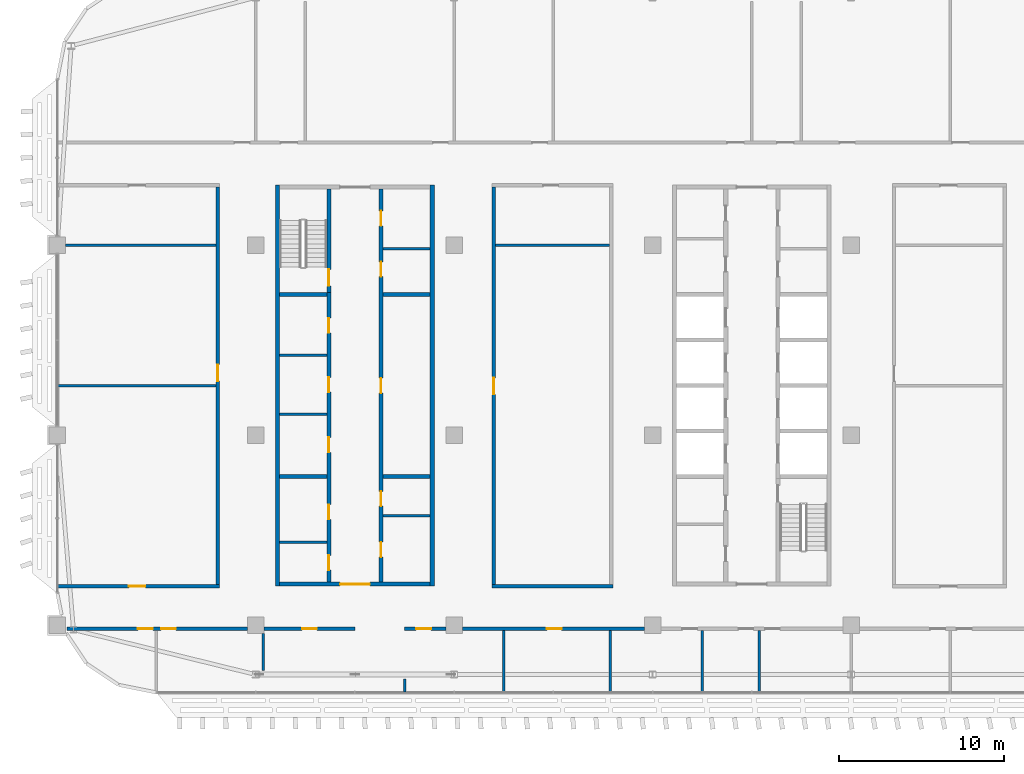
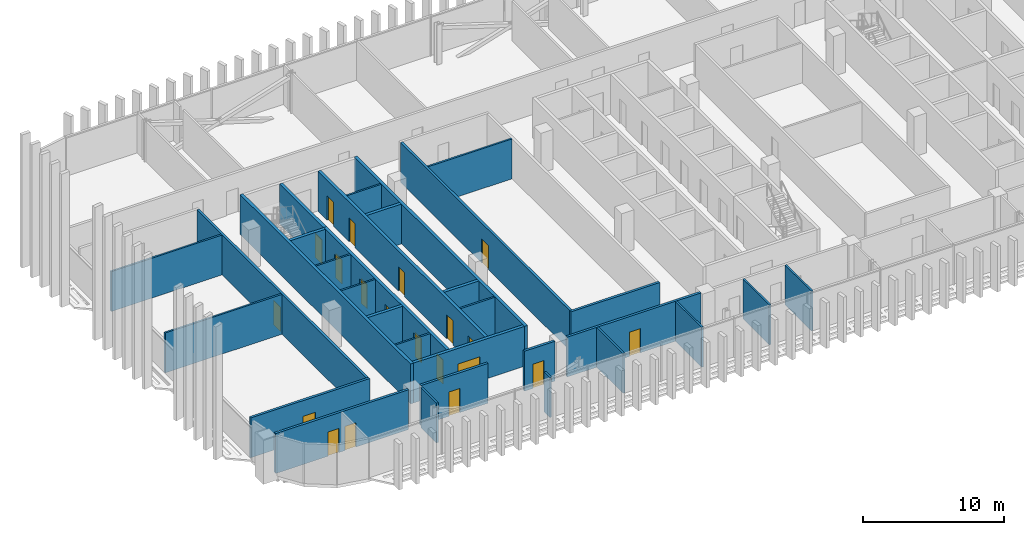
# One storey, part 16 of 32: 32 walls, 20 doors, 20 openings.
"""IFC4 building model written with IfcOpenShell, lengths in metres."""

from ifc_helpers import new_model, si_unit, direction, frame, frame_2d, origin, place, context, subcontext, project, spatial, rectangle, extrude, material, layer, layer_set, type_object, element, fill, save


model = new_model("IFC4")

# Units and contexts
model_context = context("Model", 3, precision=1e-05, world=origin(), true_north=direction((0.0, 1.0)))
body_context = subcontext(model_context, "Body", "Model", "MODEL_VIEW")
ifc_project = project(units=[si_unit("LENGTHUNIT", "METRE"), si_unit("AREAUNIT", "SQUARE_METRE"), si_unit("VOLUMEUNIT", "CUBIC_METRE"), si_unit("PLANEANGLEUNIT", "RADIAN"), si_unit("MASSUNIT", "GRAM", prefix="KILO")], contexts=[model_context])

# Site, building, storey
site_placement = place(None, origin())
site = spatial("IfcSite", under=ifc_project, at=site_placement, CompositionType="ELEMENT")
building_placement = place(site_placement, origin())
building = spatial("IfcBuilding", under=site, at=building_placement, Name="Mahtab Terrace Research Tower", CompositionType="ELEMENT")
storey_placement = place(building_placement, frame((0.0, 0.0, 243.800048828125)))
storey = spatial("IfcBuildingStorey", under=building, at=storey_placement, Name="L59", CompositionType="ELEMENT", Elevation=243.800048828125)

# Walls
ifc_material_1 = material(Name="Gypsum board partition")
ifc_layer_1 = layer(ifc_material_1, 0.14990234375)
ifc_layer_set_1 = layer_set([ifc_layer_1], Name="Core partition 150")
wall_type_1 = type_object("IfcWallType", Name="Core partition 150", PredefinedType="PARTITIONING", material=ifc_layer_set_1)
for number, where, z_axis, x_axis, name in (
    (1, (-28.550048828125, 1.280029296875, 0.0), (0.0, 0.0, 1.0), (1.0, 0.0, 0.0), "Core wall A pWL-172"),
    (2, (-28.550048828125, 4.827392578125, 0.0), (0.0, 0.0, 1.0), (1.0, 0.0, 0.0), "Core wall A pWL183"),
    (3, (-28.550048828125, -6.47509765625, 0.0), (0.0, 0.0, 1.0), (1.0, 0.0, 0.0), "Core wall A pWS-948"),
    (4, (-22.300048828125, -4.875, 0.0), (0.0, 0.0, 1.0), (1.0, 0.0, 0.0), "Core wall A pES-788"),
    (5, (-22.300048828125, 11.27490234375, 0.0), (0.0, 0.0, 1.0), (1.0, 0.0, 0.0), "Core wall A pEN828"),
):
    element("IfcWall", number, at=place(storey_placement, frame(where, z_axis=z_axis, x_axis=x_axis)), inside=storey, type_object=wall_type_1, Name=name, PredefinedType="PARTITIONING", context=body_context, shape_type="SweptSolid", body=[
        extrude(rectangle(XDim=2.85009765625, YDim=0.14990234375, at=frame_2d((1.425048828125, 0.0))), origin(), (0.0, 0.0, 1.0), 3.4599609375),
    ])
ifc_material_2 = material(Name="Concrete C70/85", Category="concrete")
ifc_layer_2 = layer(ifc_material_2, 0.25)
ifc_layer_set_2 = layer_set([ifc_layer_2], Name="Core wall 250")
wall_type_2 = type_object("IfcWallType", Name="Core wall 250", PredefinedType="SOLIDWALL", material=ifc_layer_set_2)
for number, where, z_axis, x_axis, name in (
    (6, (-28.675048828125, 15.125, 0.0), (0.0, 0.0, 1.0), (0.0, -1.0, 0.0), "Core wall A outerW"),
    (7, (-19.324951171875, -9.125, 0.0), (0.0, 0.0, 1.0), (0.0, 1.0, 0.0), "Core wall A outerE"),
):
    element("IfcWall", number, at=place(storey_placement, frame(where, z_axis=z_axis, x_axis=x_axis)), inside=storey, type_object=wall_type_2, Name=name, PredefinedType="SOLIDWALL", context=body_context, shape_type="SweptSolid", body=[
        extrude(rectangle(XDim=24.25, YDim=0.25, at=frame_2d((12.125, 0.0))), origin(), (0.0, 0.0, 1.0), 3.4599609375),
    ])

# Wall, opening, door
wall_1_placement = place(storey_placement, frame((-19.449951171875, -9.0, 0.0), z_axis=(0.0, 0.0, 1.0), x_axis=(-1.0, 0.0, 0.0)))
wall_1 = element("IfcWall", 8, at=wall_1_placement, inside=storey, type_object=wall_type_2, Name="Core wall A endS", PredefinedType="SOLIDWALL", context=body_context, shape_type="SweptSolid", body=[
    extrude(rectangle(XDim=9.10009765625, YDim=0.25, at=frame_2d((4.550048828125, 0.0))), origin(), (0.0, 0.0, 1.0), 3.4599609375),
])
opening_1_placement = place(wall_1_placement, frame((3.64990234375, 0.0, 0.0)))
opening_1 = element("IfcOpeningElement", 9, at=opening_1_placement, cuts=wall_1, Name="Opening A-S1", PredefinedType="OPENING", context=body_context, shape_type="SweptSolid", body=[
    extrude(rectangle(XDim=1.800048828125, YDim=2.10009765625, at=frame_2d((0.89990234375, 1.050048828125))), frame((0.0, 0.135009765625, 0.0), z_axis=(0.0, -1.0, 0.0), x_axis=(1.0, 0.0, 0.0)), (0.0, 0.0, 1.0), 0.27001953125),
])
ifc_material_3 = material(Name="Steel fire door", Category="steel")
door_type_1 = type_object("IfcDoorType", Name="Lobby double door 1800x2100 1 HR", OperationType="DOUBLE_DOOR_SINGLE_SWING", PredefinedType="DOOR", material=ifc_material_3)
door_1_placement = place(opening_1_placement, origin())
door_1 = element("IfcDoor", 10, at=door_1_placement, inside=storey, type_object=door_type_1, Name="Core entrance door A S", OperationType="DOUBLE_DOOR_SINGLE_SWING", OverallHeight=2.10009765625, OverallWidth=1.800048828125, PredefinedType="DOOR", context=body_context, shape_type="SweptSolid", body=[
    extrude(rectangle(XDim=1.800048828125, YDim=2.10009765625, at=frame_2d((0.89990234375, 1.050048828125))), frame((0.0, 0.02490234375, 0.0), z_axis=(0.0, -1.0, 0.0), x_axis=(1.0, 0.0, 0.0)), (0.0, 0.0, 1.0), 0.050048828125),
])
fill(opening_1, door_1)

# Wall, openings, doors
wall_2_placement = place(storey_placement, frame((-25.574951171875, -8.875, 0.0), z_axis=(0.0, 0.0, 1.0), x_axis=(0.0, 1.0, 0.0)))
wall_2 = element("IfcWall", 11, at=wall_2_placement, inside=storey, type_object=wall_type_2, Name="Core wall A innerWSL", PredefinedType="SOLIDWALL", context=body_context, shape_type="SweptSolid", body=[
    extrude(rectangle(XDim=17.5, YDim=0.25, at=frame_2d((8.75, 0.0))), origin(), (0.0, 0.0, 1.0), 3.4599609375),
])
opening_2_placement = place(wall_2_placement, frame((7.840087890625, 0.0, 0.0)))
opening_2 = element("IfcOpeningElement", 12, at=opening_2_placement, cuts=wall_2, Name="Opening A-R1", PredefinedType="OPENING", context=body_context, shape_type="SweptSolid", body=[
    extrude(rectangle(XDim=0.89990234375, YDim=2.10009765625, at=frame_2d((0.449951171875, 1.050048828125))), frame((0.0, 0.135009765625, 0.0), z_axis=(0.0, -1.0, 0.0), x_axis=(1.0, 0.0, 0.0)), (0.0, 0.0, 1.0), 0.27001953125),
])
opening_3_placement = place(wall_2_placement, frame((11.478759765625, 0.0, 0.0)))
opening_3 = element("IfcOpeningElement", 13, at=opening_3_placement, cuts=wall_2, Name="Opening A-R2", PredefinedType="OPENING", context=body_context, shape_type="SweptSolid", body=[
    extrude(rectangle(XDim=0.89990234375, YDim=2.10009765625, at=frame_2d((0.449951171875, 1.050048828125))), frame((0.0, 0.135009765625, 0.0), z_axis=(0.0, -1.0, 0.0), x_axis=(1.0, 0.0, 0.0)), (0.0, 0.0, 1.0), 0.27001953125),
])
opening_4_placement = place(wall_2_placement, frame((15.063720703125, 0.0, 0.0)))
opening_4 = element("IfcOpeningElement", 14, at=opening_4_placement, cuts=wall_2, Name="Opening A-R3", PredefinedType="OPENING", context=body_context, shape_type="SweptSolid", body=[
    extrude(rectangle(XDim=0.89990234375, YDim=2.10009765625, at=frame_2d((0.449951171875, 1.050048828125))), frame((0.0, 0.135009765625, 0.0), z_axis=(0.0, -1.0, 0.0), x_axis=(1.0, 0.0, 0.0)), (0.0, 0.0, 1.0), 0.27001953125),
])
opening_5_placement = place(wall_2_placement, frame((0.71240234375, 0.0, 0.0)))
opening_5 = element("IfcOpeningElement", 15, at=opening_5_placement, cuts=wall_2, Name="Opening A-R5", PredefinedType="OPENING", context=body_context, shape_type="SweptSolid", body=[
    extrude(rectangle(XDim=0.89990234375, YDim=2.10009765625, at=frame_2d((0.449951171875, 1.050048828125))), frame((0.0, 0.135009765625, 0.0), z_axis=(0.0, -1.0, 0.0), x_axis=(1.0, 0.0, 0.0)), (0.0, 0.0, 1.0), 0.27001953125),
])
opening_6_placement = place(wall_2_placement, frame((3.78759765625, 0.0, 0.0)))
opening_6 = element("IfcOpeningElement", 16, at=opening_6_placement, cuts=wall_2, Name="Opening A-R6", PredefinedType="OPENING", context=body_context, shape_type="SweptSolid", body=[
    extrude(rectangle(XDim=0.89990234375, YDim=2.10009765625, at=frame_2d((0.449951171875, 1.050048828125))), frame((0.0, 0.135009765625, 0.0), z_axis=(0.0, -1.0, 0.0), x_axis=(1.0, 0.0, 0.0)), (0.0, 0.0, 1.0), 0.27001953125),
])
door_type_2 = type_object("IfcDoorType", Name="Room door 900x2100 1 HR", OperationType="NOTDEFINED", PredefinedType="DOOR", material=ifc_material_3)
door_2_placement = place(opening_2_placement, origin())
door_2 = element("IfcDoor", 17, at=door_2_placement, inside=storey, type_object=door_type_2, Name="Battery room door", OperationType="SINGLE_SWING_LEFT", OverallHeight=2.10009765625, OverallWidth=0.89990234375, PredefinedType="DOOR", context=body_context, shape_type="SweptSolid", body=[
    extrude(rectangle(XDim=0.89990234375, YDim=2.10009765625, at=frame_2d((0.449951171875, 1.050048828125))), frame((0.0, 0.02490234375, 0.0), z_axis=(0.0, -1.0, 0.0), x_axis=(1.0, 0.0, 0.0)), (0.0, 0.0, 1.0), 0.050048828125),
])
fill(opening_2, door_2)
door_3_placement = place(opening_3_placement, origin())
door_3 = element("IfcDoor", 18, at=door_3_placement, inside=storey, type_object=door_type_2, Name="Cooling plant room door", OperationType="SINGLE_SWING_RIGHT", OverallHeight=2.10009765625, OverallWidth=0.89990234375, PredefinedType="DOOR", context=body_context, shape_type="SweptSolid", body=[
    extrude(rectangle(XDim=0.89990234375, YDim=2.10009765625, at=frame_2d((0.449951171875, 1.050048828125))), frame((0.0, 0.02490234375, 0.0), z_axis=(0.0, -1.0, 0.0), x_axis=(1.0, 0.0, 0.0)), (0.0, 0.0, 1.0), 0.050048828125),
])
fill(opening_3, door_3)
door_4_placement = place(opening_4_placement, origin())
door_4 = element("IfcDoor", 19, at=door_4_placement, inside=storey, type_object=door_type_2, Name="Spare parts store door", OperationType="SINGLE_SWING_LEFT", OverallHeight=2.10009765625, OverallWidth=0.89990234375, PredefinedType="DOOR", context=body_context, shape_type="SweptSolid", body=[
    extrude(rectangle(XDim=0.89990234375, YDim=2.10009765625, at=frame_2d((0.449951171875, 1.050048828125))), frame((0.0, 0.02490234375, 0.0), z_axis=(0.0, -1.0, 0.0), x_axis=(1.0, 0.0, 0.0)), (0.0, 0.0, 1.0), 0.050048828125),
])
fill(opening_4, door_4)
door_5_placement = place(opening_5_placement, origin())
door_5 = element("IfcDoor", 20, at=door_5_placement, inside=storey, type_object=door_type_2, Name="Accessible WC door", OperationType="SINGLE_SWING_LEFT", OverallHeight=2.10009765625, OverallWidth=0.89990234375, PredefinedType="DOOR", context=body_context, shape_type="SweptSolid", body=[
    extrude(rectangle(XDim=0.89990234375, YDim=2.10009765625, at=frame_2d((0.449951171875, 1.050048828125))), frame((0.0, 0.02490234375, 0.0), z_axis=(0.0, -1.0, 0.0), x_axis=(1.0, 0.0, 0.0)), (0.0, 0.0, 1.0), 0.050048828125),
])
fill(opening_5, door_5)
door_6_placement = place(opening_6_placement, origin())
door_6 = element("IfcDoor", 21, at=door_6_placement, inside=storey, type_object=door_type_2, Name="WC block door", OperationType="SINGLE_SWING_RIGHT", OverallHeight=2.10009765625, OverallWidth=0.89990234375, PredefinedType="DOOR", context=body_context, shape_type="SweptSolid", body=[
    extrude(rectangle(XDim=0.89990234375, YDim=2.10009765625, at=frame_2d((0.449951171875, 1.050048828125))), frame((0.0, 0.02490234375, 0.0), z_axis=(0.0, -1.0, 0.0), x_axis=(1.0, 0.0, 0.0)), (0.0, 0.0, 1.0), 0.050048828125),
])
fill(opening_6, door_6)

# Wall, opening, door
wall_3_placement = place(storey_placement, frame((-25.574951171875, 14.875, 0.0), z_axis=(0.0, 0.0, 1.0), x_axis=(0.0, -1.0, 0.0)))
wall_3 = element("IfcWall", 22, at=wall_3_placement, inside=storey, type_object=wall_type_2, Name="Core wall A innerWN", PredefinedType="SOLIDWALL", context=body_context, shape_type="SweptSolid", body=[
    extrude(rectangle(XDim=6.25, YDim=0.25, at=frame_2d((3.125, 0.0))), origin(), (0.0, 0.0, 1.0), 3.4599609375),
])
opening_7_placement = place(wall_3_placement, frame((4.85009765625, 0.0, 0.0)))
opening_7 = element("IfcOpeningElement", 23, at=opening_7_placement, cuts=wall_3, Name="Opening A-ST1", PredefinedType="OPENING", context=body_context, shape_type="SweptSolid", body=[
    extrude(rectangle(XDim=1.0, YDim=2.10009765625, at=frame_2d((0.5, 1.050048828125))), frame((0.0, 0.135009765625, 0.0), z_axis=(0.0, -1.0, 0.0), x_axis=(1.0, 0.0, 0.0)), (0.0, 0.0, 1.0), 0.27001953125),
])
door_type_3 = type_object("IfcDoorType", Name="Stair door 1000x2100 1.5 HR", OperationType="NOTDEFINED", PredefinedType="DOOR", material=ifc_material_3)
door_7_placement = place(opening_7_placement, origin())
door_7 = element("IfcDoor", 24, at=door_7_placement, inside=storey, type_object=door_type_3, Name="Stair door ST1 L59", OperationType="SINGLE_SWING_LEFT", OverallHeight=2.10009765625, OverallWidth=1.0, PredefinedType="DOOR", context=body_context, shape_type="SweptSolid", body=[
    extrude(rectangle(XDim=1.0, YDim=2.10009765625, at=frame_2d((0.5, 1.050048828125))), frame((0.0, 0.02490234375, 0.0), z_axis=(0.0, -1.0, 0.0), x_axis=(1.0, 0.0, 0.0)), (0.0, 0.0, 1.0), 0.050048828125),
])
fill(opening_7, door_7)

# Wall, openings, doors
wall_4_placement = place(storey_placement, frame((-22.425048828125, 14.875, 0.0), z_axis=(0.0, 0.0, 1.0), x_axis=(0.0, -1.0, 0.0)))
wall_4 = element("IfcWall", 25, at=wall_4_placement, inside=storey, type_object=wall_type_2, Name="Core wall A innerESLN", PredefinedType="SOLIDWALL", context=body_context, shape_type="SweptSolid", body=[
    extrude(rectangle(XDim=23.75, YDim=0.25, at=frame_2d((11.875, 0.0))), origin(), (0.0, 0.0, 1.0), 3.4599609375),
])
opening_8_placement = place(wall_4_placement, frame((11.425048828125, 0.0, 0.0)))
opening_8 = element("IfcOpeningElement", 26, at=opening_8_placement, cuts=wall_4, Name="Opening A-R4", PredefinedType="OPENING", context=body_context, shape_type="SweptSolid", body=[
    extrude(rectangle(XDim=0.89990234375, YDim=2.10009765625, at=frame_2d((0.449951171875, 1.050048828125))), frame((0.0, 0.135009765625, 0.0), z_axis=(0.0, -1.0, 0.0), x_axis=(1.0, 0.0, 0.0)), (0.0, 0.0, 1.0), 0.27001953125),
])
opening_9_placement = place(wall_4_placement, frame((21.33740234375, 0.0, 0.0)))
opening_9 = element("IfcOpeningElement", 27, at=opening_9_placement, cuts=wall_4, Name="Opening A-R7", PredefinedType="OPENING", context=body_context, shape_type="SweptSolid", body=[
    extrude(rectangle(XDim=0.89990234375, YDim=2.10009765625, at=frame_2d((0.449951171875, 1.050048828125))), frame((0.0, 0.135009765625, 0.0), z_axis=(0.0, -1.0, 0.0), x_axis=(1.0, 0.0, 0.0)), (0.0, 0.0, 1.0), 0.27001953125),
])
opening_10_placement = place(wall_4_placement, frame((18.262451171875, 0.0, 0.0)))
opening_10 = element("IfcOpeningElement", 28, at=opening_10_placement, cuts=wall_4, Name="Opening A-R8", PredefinedType="OPENING", context=body_context, shape_type="SweptSolid", body=[
    extrude(rectangle(XDim=0.89990234375, YDim=2.10009765625, at=frame_2d((0.449951171875, 1.050048828125))), frame((0.0, 0.135009765625, 0.0), z_axis=(0.0, -1.0, 0.0), x_axis=(1.0, 0.0, 0.0)), (0.0, 0.0, 1.0), 0.27001953125),
])
opening_11_placement = place(wall_4_placement, frame((4.387451171875, 0.0, 0.0)))
opening_11 = element("IfcOpeningElement", 29, at=opening_11_placement, cuts=wall_4, Name="Opening A-R9", PredefinedType="OPENING", context=body_context, shape_type="SweptSolid", body=[
    extrude(rectangle(XDim=0.89990234375, YDim=2.10009765625, at=frame_2d((0.449951171875, 1.050048828125))), frame((0.0, 0.135009765625, 0.0), z_axis=(0.0, -1.0, 0.0), x_axis=(1.0, 0.0, 0.0)), (0.0, 0.0, 1.0), 0.27001953125),
])
opening_12_placement = place(wall_4_placement, frame((1.3125, 0.0, 0.0)))
opening_12 = element("IfcOpeningElement", 30, at=opening_12_placement, cuts=wall_4, Name="Opening A-R10", PredefinedType="OPENING", context=body_context, shape_type="SweptSolid", body=[
    extrude(rectangle(XDim=0.89990234375, YDim=2.10009765625, at=frame_2d((0.449951171875, 1.050048828125))), frame((0.0, 0.135009765625, 0.0), z_axis=(0.0, -1.0, 0.0), x_axis=(1.0, 0.0, 0.0)), (0.0, 0.0, 1.0), 0.27001953125),
])
door_8_placement = place(opening_8_placement, origin())
door_8 = element("IfcDoor", 31, at=door_8_placement, inside=storey, type_object=door_type_2, Name="Plant room door", OperationType="SINGLE_SWING_RIGHT", OverallHeight=2.10009765625, OverallWidth=0.89990234375, PredefinedType="DOOR", context=body_context, shape_type="SweptSolid", body=[
    extrude(rectangle(XDim=0.89990234375, YDim=2.10009765625, at=frame_2d((0.449951171875, 1.050048828125))), frame((0.0, 0.02490234375, 0.0), z_axis=(0.0, -1.0, 0.0), x_axis=(1.0, 0.0, 0.0)), (0.0, 0.0, 1.0), 0.050048828125),
])
fill(opening_8, door_8)
door_9_placement = place(opening_9_placement, origin())
door_9 = element("IfcDoor", 32, at=door_9_placement, inside=storey, type_object=door_type_2, Name="IT equipment room door", OperationType="SINGLE_SWING_LEFT", OverallHeight=2.10009765625, OverallWidth=0.89990234375, PredefinedType="DOOR", context=body_context, shape_type="SweptSolid", body=[
    extrude(rectangle(XDim=0.89990234375, YDim=2.10009765625, at=frame_2d((0.449951171875, 1.050048828125))), frame((0.0, 0.02490234375, 0.0), z_axis=(0.0, -1.0, 0.0), x_axis=(1.0, 0.0, 0.0)), (0.0, 0.0, 1.0), 0.050048828125),
])
fill(opening_9, door_9)
door_10_placement = place(opening_10_placement, origin())
door_10 = element("IfcDoor", 33, at=door_10_placement, inside=storey, type_object=door_type_2, Name="Electrical riser room door", OperationType="SINGLE_SWING_RIGHT", OverallHeight=2.10009765625, OverallWidth=0.89990234375, PredefinedType="DOOR", context=body_context, shape_type="SweptSolid", body=[
    extrude(rectangle(XDim=0.89990234375, YDim=2.10009765625, at=frame_2d((0.449951171875, 1.050048828125))), frame((0.0, 0.02490234375, 0.0), z_axis=(0.0, -1.0, 0.0), x_axis=(1.0, 0.0, 0.0)), (0.0, 0.0, 1.0), 0.050048828125),
])
fill(opening_10, door_10)
door_11_placement = place(opening_11_placement, origin())
door_11 = element("IfcDoor", 34, at=door_11_placement, inside=storey, type_object=door_type_2, Name="Mechanical riser room door", OperationType="SINGLE_SWING_LEFT", OverallHeight=2.10009765625, OverallWidth=0.89990234375, PredefinedType="DOOR", context=body_context, shape_type="SweptSolid", body=[
    extrude(rectangle(XDim=0.89990234375, YDim=2.10009765625, at=frame_2d((0.449951171875, 1.050048828125))), frame((0.0, 0.02490234375, 0.0), z_axis=(0.0, -1.0, 0.0), x_axis=(1.0, 0.0, 0.0)), (0.0, 0.0, 1.0), 0.050048828125),
])
fill(opening_11, door_11)
door_12_placement = place(opening_12_placement, origin())
door_12 = element("IfcDoor", 35, at=door_12_placement, inside=storey, type_object=door_type_2, Name="Chemical store door", OperationType="SINGLE_SWING_RIGHT", OverallHeight=2.10009765625, OverallWidth=0.89990234375, PredefinedType="DOOR", context=body_context, shape_type="SweptSolid", body=[
    extrude(rectangle(XDim=0.89990234375, YDim=2.10009765625, at=frame_2d((0.449951171875, 1.050048828125))), frame((0.0, 0.02490234375, 0.0), z_axis=(0.0, -1.0, 0.0), x_axis=(1.0, 0.0, 0.0)), (0.0, 0.0, 1.0), 0.050048828125),
])
fill(opening_12, door_12)

# Walls
for number, where, z_axis, x_axis, name in (
    (36, (-28.550048828125, -2.5, 0.0), (0.0, 0.0, 1.0), (1.0, 0.0, 0.0), "Core wall A divW0"),
    (37, (-28.550048828125, 8.5, 0.0), (0.0, 0.0, 1.0), (1.0, 0.0, 0.0), "Core wall A divW4"),
    (38, (-22.300048828125, -2.5, 0.0), (0.0, 0.0, 1.0), (1.0, 0.0, 0.0), "Core wall A divE0"),
    (39, (-22.300048828125, 8.5, 0.0), (0.0, 0.0, 1.0), (1.0, 0.0, 0.0), "Core wall A divE4"),
):
    element("IfcWall", number, at=place(storey_placement, frame(where, z_axis=z_axis, x_axis=x_axis)), inside=storey, type_object=wall_type_2, Name=name, PredefinedType="SOLIDWALL", context=body_context, shape_type="SweptSolid", body=[
        extrude(rectangle(XDim=2.85009765625, YDim=0.25, at=frame_2d((1.425048828125, 0.0))), origin(), (0.0, 0.0, 1.0), 3.4599609375),
    ])

# Wall, openings, doors
ifc_material_4 = material(Name="Gypsum board corridor wall on steel studs", Category="steel")
ifc_layer_3 = layer(ifc_material_4, 0.199951171875)
ifc_layer_set_3 = layer_set([ifc_layer_3], Name="WALL CORRIDOR 200")
wall_type_3 = type_object("IfcWallType", Name="WALL CORRIDOR 200", PredefinedType="PARTITIONING", material=ifc_layer_set_3)
wall_5_placement = place(storey_placement, frame((-41.420654296875, -11.699951171875, 0.0), z_axis=(0.0, 0.0, 1.0), x_axis=(1.0, 0.0, 0.0)))
wall_5 = element("IfcWall", 40, at=wall_5_placement, inside=storey, type_object=wall_type_3, Name="L59-W001", PredefinedType="PARTITIONING", context=body_context, shape_type="SweptSolid", body=[
    extrude(rectangle(XDim=10.920654296875, YDim=0.199951171875, at=frame_2d((5.46044921875, 0.0))), origin(), (0.0, 0.0, 1.0), 3.4599609375),
])
opening_13_placement = place(wall_5_placement, frame((4.300048828125, 0.0, 0.0)))
opening_13 = element("IfcOpeningElement", 41, at=opening_13_placement, cuts=wall_5, Name="Opening L59-101", PredefinedType="OPENING", context=body_context, shape_type="SweptSolid", body=[
    extrude(rectangle(XDim=0.89990234375, YDim=2.10009765625, at=frame_2d((0.449951171875, 1.050048828125))), frame((0.0, 0.10986328125, 0.0), z_axis=(0.0, -1.0, 0.0), x_axis=(1.0, 0.0, 0.0)), (0.0, 0.0, 1.0), 0.219970703125),
])
opening_14_placement = place(wall_5_placement, frame((5.699951171875, 0.0, 0.0)))
opening_14 = element("IfcOpeningElement", 42, at=opening_14_placement, cuts=wall_5, Name="Opening L59-102", PredefinedType="OPENING", context=body_context, shape_type="SweptSolid", body=[
    extrude(rectangle(XDim=0.89990234375, YDim=2.10009765625, at=frame_2d((0.449951171875, 1.050048828125))), frame((0.0, 0.10986328125, 0.0), z_axis=(0.0, -1.0, 0.0), x_axis=(1.0, 0.0, 0.0)), (0.0, 0.0, 1.0), 0.219970703125),
])
ifc_material_5 = material(Name="Timber door leaf in steel frame", Category="steel")
door_type_4 = type_object("IfcDoorType", Name="DOOR 0900X2100 FD30S", OperationType="SINGLE_SWING_LEFT", PredefinedType="DOOR", material=ifc_material_5)
door_13_placement = place(opening_13_placement, origin())
door_13 = element("IfcDoor", 43, at=door_13_placement, inside=storey, type_object=door_type_4, Name="Door L59-101", OperationType="SINGLE_SWING_RIGHT", OverallHeight=2.10009765625, OverallWidth=0.89990234375, PredefinedType="DOOR", context=body_context, shape_type="SweptSolid", body=[
    extrude(rectangle(XDim=0.89990234375, YDim=2.10009765625, at=frame_2d((0.449951171875, 1.050048828125))), frame((0.0, 0.02490234375, 0.0), z_axis=(0.0, -1.0, 0.0), x_axis=(1.0, 0.0, 0.0)), (0.0, 0.0, 1.0), 0.050048828125),
])
fill(opening_13, door_13)
door_14_placement = place(opening_14_placement, origin())
door_14 = element("IfcDoor", 44, at=door_14_placement, inside=storey, type_object=door_type_4, Name="Door L59-102", OperationType="SINGLE_SWING_LEFT", OverallHeight=2.10009765625, OverallWidth=0.89990234375, PredefinedType="DOOR", context=body_context, shape_type="SweptSolid", body=[
    extrude(rectangle(XDim=0.89990234375, YDim=2.10009765625, at=frame_2d((0.449951171875, 1.050048828125))), frame((0.0, 0.02490234375, 0.0), z_axis=(0.0, -1.0, 0.0), x_axis=(1.0, 0.0, 0.0)), (0.0, 0.0, 1.0), 0.050048828125),
])
fill(opening_14, door_14)

# Wall, opening, door
wall_6_placement = place(storey_placement, frame((-29.5, -11.699951171875, 0.0), z_axis=(0.0, 0.0, 1.0), x_axis=(1.0, 0.0, 0.0)))
wall_6 = element("IfcWall", 45, at=wall_6_placement, inside=storey, type_object=wall_type_3, Name="L59-W002", PredefinedType="PARTITIONING", context=body_context, shape_type="SweptSolid", body=[
    extrude(rectangle(XDim=5.5, YDim=0.199951171875, at=frame_2d((2.75, 0.0))), origin(), (0.0, 0.0, 1.0), 3.4599609375),
])
opening_15_placement = place(wall_6_placement, frame((2.300048828125, 0.0, 0.0)))
opening_15 = element("IfcOpeningElement", 46, at=opening_15_placement, cuts=wall_6, Name="Opening L59-103", PredefinedType="OPENING", context=body_context, shape_type="SweptSolid", body=[
    extrude(rectangle(XDim=0.89990234375, YDim=2.10009765625, at=frame_2d((0.449951171875, 1.050048828125))), frame((0.0, 0.10986328125, 0.0), z_axis=(0.0, -1.0, 0.0), x_axis=(1.0, 0.0, 0.0)), (0.0, 0.0, 1.0), 0.219970703125),
])
door_15_placement = place(opening_15_placement, origin())
door_15 = element("IfcDoor", 47, at=door_15_placement, inside=storey, type_object=door_type_4, Name="Door L59-103", OperationType="SINGLE_SWING_RIGHT", OverallHeight=2.10009765625, OverallWidth=0.89990234375, PredefinedType="DOOR", context=body_context, shape_type="SweptSolid", body=[
    extrude(rectangle(XDim=0.89990234375, YDim=2.10009765625, at=frame_2d((0.449951171875, 1.050048828125))), frame((0.0, 0.02490234375, 0.0), z_axis=(0.0, -1.0, 0.0), x_axis=(1.0, 0.0, 0.0)), (0.0, 0.0, 1.0), 0.050048828125),
])
fill(opening_15, door_15)

wall_7_placement = place(storey_placement, frame((-21.0, -11.699951171875, 0.0), z_axis=(0.0, 0.0, 1.0), x_axis=(1.0, 0.0, 0.0)))
wall_7 = element("IfcWall", 48, at=wall_7_placement, inside=storey, type_object=wall_type_3, Name="L59-W003", PredefinedType="PARTITIONING", context=body_context, shape_type="SweptSolid", body=[
    extrude(rectangle(XDim=2.5, YDim=0.199951171875, at=frame_2d((1.25, 0.0))), origin(), (0.0, 0.0, 1.0), 3.4599609375),
])
opening_16_placement = place(wall_7_placement, frame((0.699951171875, 0.0, 0.0)))
opening_16 = element("IfcOpeningElement", 49, at=opening_16_placement, cuts=wall_7, Name="Opening L59-104", PredefinedType="OPENING", context=body_context, shape_type="SweptSolid", body=[
    extrude(rectangle(XDim=0.89990234375, YDim=2.10009765625, at=frame_2d((0.449951171875, 1.050048828125))), frame((0.0, 0.10986328125, 0.0), z_axis=(0.0, -1.0, 0.0), x_axis=(1.0, 0.0, 0.0)), (0.0, 0.0, 1.0), 0.219970703125),
])
door_16_placement = place(opening_16_placement, origin())
door_16 = element("IfcDoor", 50, at=door_16_placement, inside=storey, type_object=door_type_4, Name="Door L59-104", OperationType="SINGLE_SWING_RIGHT", OverallHeight=2.10009765625, OverallWidth=0.89990234375, PredefinedType="DOOR", context=body_context, shape_type="SweptSolid", body=[
    extrude(rectangle(XDim=0.89990234375, YDim=2.10009765625, at=frame_2d((0.449951171875, 1.050048828125))), frame((0.0, 0.02490234375, 0.0), z_axis=(0.0, -1.0, 0.0), x_axis=(1.0, 0.0, 0.0)), (0.0, 0.0, 1.0), 0.050048828125),
])
fill(opening_16, door_16)

wall_8_placement = place(storey_placement, frame((-17.5, -11.699951171875, 0.0), z_axis=(0.0, 0.0, 1.0), x_axis=(1.0, 0.0, 0.0)))
wall_8 = element("IfcWall", 51, at=wall_8_placement, inside=storey, type_object=wall_type_3, Name="L59-W004", PredefinedType="PARTITIONING", context=body_context, shape_type="SweptSolid", body=[
    extrude(rectangle(XDim=11.0, YDim=0.199951171875, at=frame_2d((5.5, 0.0))), origin(), (0.0, 0.0, 1.0), 3.4599609375),
])
opening_17_placement = place(wall_8_placement, frame((5.10009765625, 0.0, 0.0)))
opening_17 = element("IfcOpeningElement", 52, at=opening_17_placement, cuts=wall_8, Name="Opening L59-105", PredefinedType="OPENING", context=body_context, shape_type="SweptSolid", body=[
    extrude(rectangle(XDim=0.89990234375, YDim=2.10009765625, at=frame_2d((0.449951171875, 1.050048828125))), frame((0.0, 0.10986328125, 0.0), z_axis=(0.0, -1.0, 0.0), x_axis=(1.0, 0.0, 0.0)), (0.0, 0.0, 1.0), 0.219970703125),
])
door_17_placement = place(opening_17_placement, origin())
door_17 = element("IfcDoor", 53, at=door_17_placement, inside=storey, type_object=door_type_4, Name="Door L59-105", OperationType="SINGLE_SWING_LEFT", OverallHeight=2.10009765625, OverallWidth=0.89990234375, PredefinedType="DOOR", context=body_context, shape_type="SweptSolid", body=[
    extrude(rectangle(XDim=0.89990234375, YDim=2.10009765625, at=frame_2d((0.449951171875, 1.050048828125))), frame((0.0, 0.02490234375, 0.0), z_axis=(0.0, -1.0, 0.0), x_axis=(1.0, 0.0, 0.0)), (0.0, 0.0, 1.0), 0.050048828125),
])
fill(opening_17, door_17)

wall_9_placement = place(storey_placement, frame((-41.97509765625, -9.125, 0.0), z_axis=(0.0, 0.0, 1.0), x_axis=(1.0, 0.0, 0.0)))
wall_9 = element("IfcWall", 54, at=wall_9_placement, inside=storey, type_object=wall_type_3, Name="L59-W010", PredefinedType="PARTITIONING", context=body_context, shape_type="SweptSolid", body=[
    extrude(rectangle(XDim=9.775146484375, YDim=0.199951171875, at=frame_2d((4.8876953125, 0.0))), origin(), (0.0, 0.0, 1.0), 3.4599609375),
])
opening_18_placement = place(wall_9_placement, frame((4.300048828125, 0.0, 0.0)))
opening_18 = element("IfcOpeningElement", 55, at=opening_18_placement, cuts=wall_9, Name="Opening L59-117", PredefinedType="OPENING", context=body_context, shape_type="SweptSolid", body=[
    extrude(rectangle(XDim=1.0, YDim=2.10009765625, at=frame_2d((0.5, 1.050048828125))), frame((0.0, 0.10986328125, 0.0), z_axis=(0.0, -1.0, 0.0), x_axis=(1.0, 0.0, 0.0)), (0.0, 0.0, 1.0), 0.219970703125),
])
door_type_5 = type_object("IfcDoorType", Name="DOOR 1000X2100 FD30S", OperationType="SINGLE_SWING_LEFT", PredefinedType="DOOR", material=ifc_material_5)
door_18_placement = place(opening_18_placement, origin())
door_18 = element("IfcDoor", 56, at=door_18_placement, inside=storey, type_object=door_type_5, Name="Door L59-117", OperationType="SINGLE_SWING_LEFT", OverallHeight=2.10009765625, OverallWidth=1.0, PredefinedType="DOOR", context=body_context, shape_type="SweptSolid", body=[
    extrude(rectangle(XDim=1.0, YDim=2.10009765625, at=frame_2d((0.5, 1.050048828125))), frame((0.0, 0.02490234375, 0.0), z_axis=(0.0, -1.0, 0.0), x_axis=(1.0, 0.0, 0.0)), (0.0, 0.0, 1.0), 0.050048828125),
])
fill(opening_18, door_18)

# Wall
wall_10_placement = place(storey_placement, frame((-15.699951171875, -9.125, 0.0), z_axis=(0.0, 0.0, 1.0), x_axis=(1.0, 0.0, 0.0)))
element("IfcWall", 57, at=wall_10_placement, inside=storey, type_object=wall_type_3, Name="L59-W011", PredefinedType="PARTITIONING", context=body_context, shape_type="SweptSolid", body=[
    extrude(rectangle(XDim=7.300048828125, YDim=0.199951171875, at=frame_2d((3.64990234375, 0.0))), origin(), (0.0, 0.0, 1.0), 3.4599609375),
])

# Wall, opening, door
wall_11_placement = place(storey_placement, frame((-32.300048828125, -9.02490234375, 0.0), z_axis=(0.0, 0.0, 1.0), x_axis=(0.0, 1.0, 0.0)))
wall_11 = element("IfcWall", 58, at=wall_11_placement, inside=storey, type_object=wall_type_3, Name="L59-W027", PredefinedType="PARTITIONING", context=body_context, shape_type="SweptSolid", body=[
    extrude(rectangle(XDim=24.0498046875, YDim=0.199951171875, at=frame_2d((12.02490234375, 0.0))), origin(), (0.0, 0.0, 1.0), 3.4599609375),
])
opening_19_placement = place(wall_11_placement, frame((12.300048828125, 0.0, 0.0)))
opening_19 = element("IfcOpeningElement", 59, at=opening_19_placement, cuts=wall_11, Name="Opening L59-121", PredefinedType="OPENING", context=body_context, shape_type="SweptSolid", body=[
    extrude(rectangle(XDim=1.0, YDim=2.10009765625, at=frame_2d((0.5, 1.050048828125))), frame((0.0, 0.10986328125, 0.0), z_axis=(0.0, -1.0, 0.0), x_axis=(1.0, 0.0, 0.0)), (0.0, 0.0, 1.0), 0.219970703125),
])
door_19_placement = place(opening_19_placement, origin())
door_19 = element("IfcDoor", 60, at=door_19_placement, inside=storey, type_object=door_type_5, Name="Door L59-121", OperationType="SINGLE_SWING_RIGHT", OverallHeight=2.10009765625, OverallWidth=1.0, PredefinedType="DOOR", context=body_context, shape_type="SweptSolid", body=[
    extrude(rectangle(XDim=1.0, YDim=2.10009765625, at=frame_2d((0.5, 1.050048828125))), frame((0.0, 0.02490234375, 0.0), z_axis=(0.0, -1.0, 0.0), x_axis=(1.0, 0.0, 0.0)), (0.0, 0.0, 1.0), 0.050048828125),
])
fill(opening_19, door_19)

wall_12_placement = place(storey_placement, frame((-15.60009765625, -9.02490234375, 0.0), z_axis=(0.0, 0.0, 1.0), x_axis=(0.0, 1.0, 0.0)))
wall_12 = element("IfcWall", 61, at=wall_12_placement, inside=storey, type_object=wall_type_3, Name="L59-W034", PredefinedType="PARTITIONING", context=body_context, shape_type="SweptSolid", body=[
    extrude(rectangle(XDim=24.0498046875, YDim=0.199951171875, at=frame_2d((12.02490234375, 0.0))), origin(), (0.0, 0.0, 1.0), 3.4599609375),
])
opening_20_placement = place(wall_12_placement, frame((11.5, 0.0, 0.0)))
opening_20 = element("IfcOpeningElement", 62, at=opening_20_placement, cuts=wall_12, Name="Opening L59-119", PredefinedType="OPENING", context=body_context, shape_type="SweptSolid", body=[
    extrude(rectangle(XDim=1.0, YDim=2.10009765625, at=frame_2d((0.5, 1.050048828125))), frame((0.0, 0.10986328125, 0.0), z_axis=(0.0, -1.0, 0.0), x_axis=(1.0, 0.0, 0.0)), (0.0, 0.0, 1.0), 0.219970703125),
])
door_20_placement = place(opening_20_placement, origin())
door_20 = element("IfcDoor", 63, at=door_20_placement, inside=storey, type_object=door_type_5, Name="Door L59-119", OperationType="SINGLE_SWING_RIGHT", OverallHeight=2.10009765625, OverallWidth=1.0, PredefinedType="DOOR", context=body_context, shape_type="SweptSolid", body=[
    extrude(rectangle(XDim=1.0, YDim=2.10009765625, at=frame_2d((0.5, 1.050048828125))), frame((0.0, 0.02490234375, 0.0), z_axis=(0.0, -1.0, 0.0), x_axis=(1.0, 0.0, 0.0)), (0.0, 0.0, 1.0), 0.050048828125),
])
fill(opening_20, door_20)

# Walls
ifc_material_6 = material(Name="Gypsum board partition on steel studs", Category="steel")
ifc_layer_4 = layer(ifc_material_6, 0.14990234375)
ifc_layer_set_4 = layer_set([ifc_layer_4], Name="WALL PARTITION 150")
wall_type_4 = type_object("IfcWallType", Name="WALL PARTITION 150", PredefinedType="PARTITIONING", material=ifc_layer_set_4)
wall_13_placement = place(storey_placement, frame((-41.97509765625, 3.0, 0.0), z_axis=(0.0, 0.0, 1.0), x_axis=(1.0, 0.0, 0.0)))
element("IfcWall", 64, at=wall_13_placement, inside=storey, type_object=wall_type_4, Name="L59-W014", PredefinedType="PARTITIONING", context=body_context, shape_type="SweptSolid", body=[
    extrude(rectangle(XDim=9.5751953125, YDim=0.14990234375, at=frame_2d((4.78759765625, 0.0))), origin(), (0.0, 0.0, 1.0), 3.4599609375),
])
wall_14_placement = place(storey_placement, frame((-41.5, 11.5, 0.0), z_axis=(0.0, 0.0, 1.0), x_axis=(1.0, 0.0, 0.0)))
element("IfcWall", 65, at=wall_14_placement, inside=storey, type_object=wall_type_4, Name="L59-W016", PredefinedType="PARTITIONING", context=body_context, shape_type="SweptSolid", body=[
    extrude(rectangle(XDim=9.10009765625, YDim=0.14990234375, at=frame_2d((4.550048828125, 0.0))), origin(), (0.0, 0.0, 1.0), 3.4599609375),
])
wall_15_placement = place(storey_placement, frame((-15.5, 11.5, 0.0), z_axis=(0.0, 0.0, 1.0), x_axis=(1.0, 0.0, 0.0)))
element("IfcWall", 66, at=wall_15_placement, inside=storey, type_object=wall_type_4, Name="L59-W017", PredefinedType="PARTITIONING", context=body_context, shape_type="SweptSolid", body=[
    extrude(rectangle(XDim=6.89990234375, YDim=0.14990234375, at=frame_2d((3.449951171875, 0.0))), origin(), (0.0, 0.0, 1.0), 3.4599609375),
])
wall_16_placement = place(storey_placement, frame((-29.550048828125, -14.220703125, 0.0), z_axis=(0.0, 0.0, 1.0), x_axis=(0.0, 1.0, 0.0)))
element("IfcWall", 67, at=wall_16_placement, inside=storey, type_object=wall_type_4, Name="L59-W029", PredefinedType="PARTITIONING", context=body_context, shape_type="SweptSolid", body=[
    extrude(rectangle(XDim=2.220703125, YDim=0.14990234375, at=frame_2d((1.1103515625, 0.0))), origin(), (0.0, 0.0, 1.0), 3.4599609375),
])
wall_17_placement = place(storey_placement, frame((-21.0, -15.531005859375, 0.0), z_axis=(0.0, 0.0, 1.0), x_axis=(0.0, 1.0, 0.0)))
element("IfcWall", 68, at=wall_17_placement, inside=storey, type_object=wall_type_4, Name="L59-W032", PredefinedType="PARTITIONING", context=body_context, shape_type="SweptSolid", body=[
    extrude(rectangle(XDim=0.8056640625, YDim=0.14990234375, at=frame_2d((0.40283203125, 0.0))), origin(), (0.0, 0.0, 1.0), 3.4599609375),
])
for number, where, z_axis, x_axis, name in (
    (69, (-15.0, -15.531005859375, 0.0), (0.0, 0.0, 1.0), (0.0, 1.0, 0.0), "L59-W035"),
    (70, (-8.550048828125, -15.531005859375, 0.0), (0.0, 0.0, 1.0), (0.0, 1.0, 0.0), "L59-W037"),
    (71, (-3.0, -15.531005859375, 0.0), (0.0, 0.0, 1.0), (0.0, 1.0, 0.0), "L59-W039"),
    (72, (0.449951171875, -15.531005859375, 0.0), (0.0, 0.0, 1.0), (0.0, 1.0, 0.0), "L59-W041"),
):
    element("IfcWall", number, at=place(storey_placement, frame(where, z_axis=z_axis, x_axis=x_axis)), inside=storey, type_object=wall_type_4, Name=name, PredefinedType="PARTITIONING", context=body_context, shape_type="SweptSolid", body=[
        extrude(rectangle(XDim=3.73095703125, YDim=0.14990234375, at=frame_2d((1.865478515625, 0.0))), origin(), (0.0, 0.0, 1.0), 3.4599609375),
    ])

save(model, "model.ifc")
